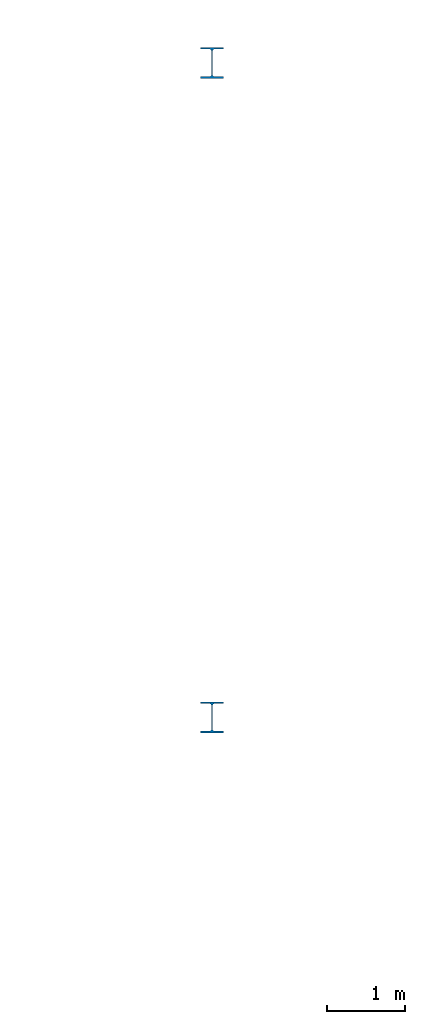
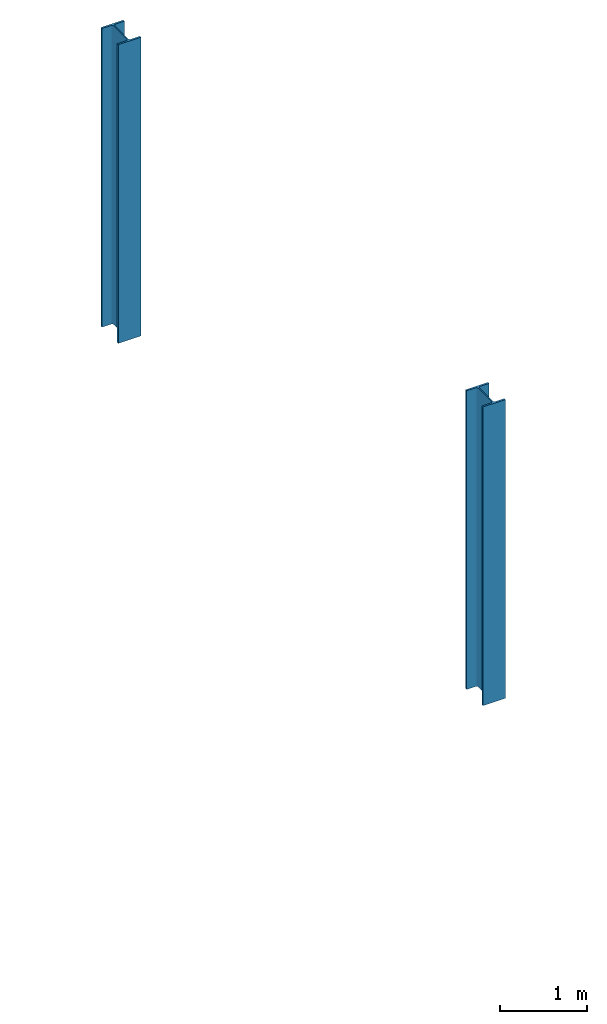
# One storey, part 19 of 157: 2 columns.
"""IFC4 building model written with IfcOpenShell, lengths in metres."""

from ifc_helpers import new_model, si_unit, direction, frame, origin, origin_2d, place, context, subcontext, project, spatial, i_section, extrude, material, material_profile, profile_set, type_object, element, save


model = new_model("IFC4")

# Units and contexts
model_context = context("Model", 3, precision=1e-05, world=origin(), true_north=direction((0.0, 1.0)))
body_context = subcontext(model_context, "Body", "Model", "MODEL_VIEW")
ifc_project = project(units=[si_unit("LENGTHUNIT", "METRE"), si_unit("AREAUNIT", "SQUARE_METRE"), si_unit("VOLUMEUNIT", "CUBIC_METRE"), si_unit("PLANEANGLEUNIT", "RADIAN"), si_unit("MASSUNIT", "GRAM", prefix="KILO")], contexts=[model_context])

# Site, building, storey
site_placement = place(None, origin())
site = spatial("IfcSite", under=ifc_project, at=site_placement, CompositionType="ELEMENT")
building_placement = place(site_placement, origin())
building = spatial("IfcBuilding", under=site, at=building_placement, Name="Brelvane Convention Centre", CompositionType="ELEMENT")
storey_placement = place(building_placement, frame((0.0, 0.0, 10.800048828125)))
storey = spatial("IfcBuildingStorey", under=building, at=storey_placement, Name="L02", CompositionType="ELEMENT", Elevation=10.800048828125)

# Columns
ifc_material = material(Name="Steel E350 (350 MPa)", Category="steel")
ifc_material_profile = material_profile(ifc_material, i_section(OverallWidth=0.300048828125, OverallDepth=0.39990234375, WebThickness=0.013427734375, FlangeThickness=0.02392578125, FilletRadius=0.027099609375, at=origin_2d()), Name="WPB 400x300")
ifc_profile_set = profile_set([ifc_material_profile], Name="Steel E350 (350 MPa)")
column_type = type_object("IfcColumnType", Name="Steel Column C-ST7 (WPB 400x300)", PredefinedType="COLUMN", material=ifc_profile_set)
for number, where, z_axis, x_axis, name in (
    (1, (224.39990234375, 135.60009765625, 0.0), (0.0, 0.0, 1.0), (1.0, 0.0, 0.0), "Column 23-P (L02)"),
    (2, (224.39990234375, 144.0, 0.0), (0.0, 0.0, 1.0), (1.0, 0.0, 0.0), "Column 23-Q (L02)"),
):
    element("IfcColumn", number, at=place(storey_placement, frame(where, z_axis=z_axis, x_axis=x_axis)), inside=storey, type_object=column_type, Name=name, PredefinedType="COLUMN", context=body_context, shape_type="SweptSolid", body=[
        extrude(i_section(OverallWidth=0.300048828125, OverallDepth=0.39990234375, WebThickness=0.013427734375, FlangeThickness=0.02392578125, FilletRadius=0.027099609375, at=origin_2d()), origin(), (0.0, 0.0, 1.0), 4.199951171875),
    ])

save(model, "model.ifc")
